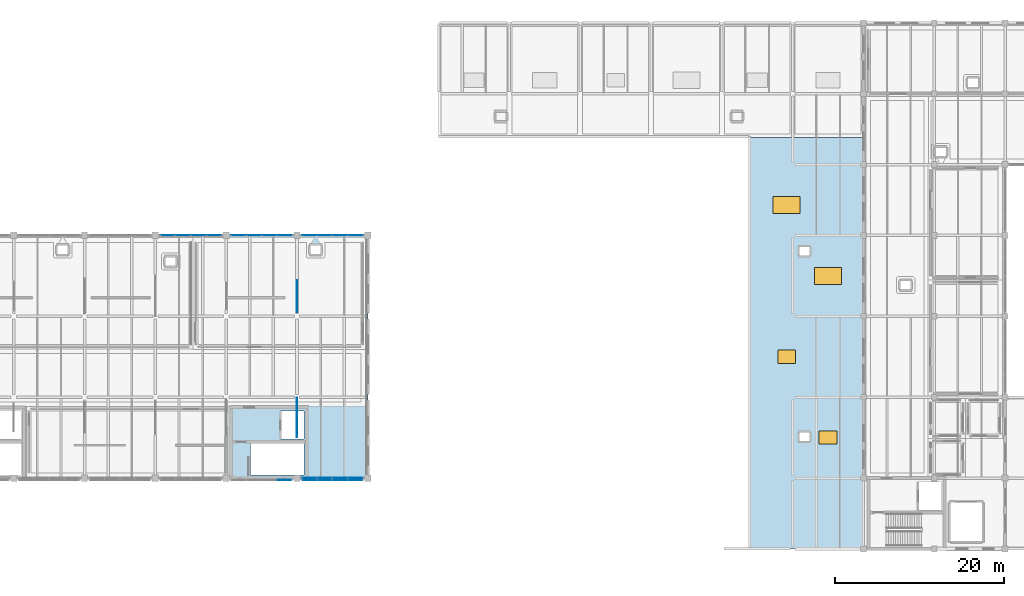
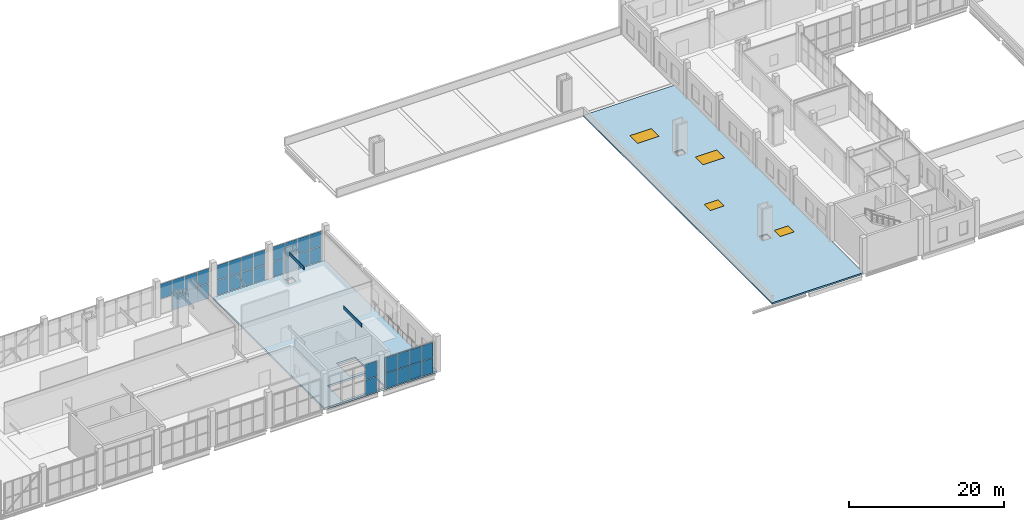
# One storey, part 31 of 49: 43 plates, 4 windows, 2 slabs, 4 openings, 6 elements without a shape of their own.
"""IFC4 building model written with IfcOpenShell, lengths in metres."""

from ifc_helpers import new_model, si_unit, direction, frame, origin, origin_2d, place, context, subcontext, project, spatial, polyline, rectangle, outline, extrude, material, layer, layer_set, type_object, element, fill, aggregate, save


model = new_model("IFC4")

# Units and contexts
model_context = context("Model", 3, precision=1e-05, world=origin(), true_north=direction((0.0, 1.0)))
body_context = subcontext(model_context, "Body", "Model", "MODEL_VIEW")
ifc_project = project(units=[si_unit("LENGTHUNIT", "METRE"), si_unit("AREAUNIT", "SQUARE_METRE"), si_unit("VOLUMEUNIT", "CUBIC_METRE"), si_unit("PLANEANGLEUNIT", "RADIAN"), si_unit("MASSUNIT", "GRAM", prefix="KILO")], contexts=[model_context])

# Site, building, storey
site_placement = place(None, origin())
site = spatial("IfcSite", under=ifc_project, at=site_placement, CompositionType="ELEMENT")
building_placement = place(site_placement, origin())
building = spatial("IfcBuilding", under=site, at=building_placement, Name="Zulmaris Art Gallery", CompositionType="ELEMENT")
storey_placement = place(building_placement, frame((0.0, 0.0, 20.699951171875)))
storey = spatial("IfcBuildingStorey", under=building, at=storey_placement, Name="L04", CompositionType="ELEMENT", Elevation=20.699951171875)

# Curtain wall, plates
ifc_material_1 = material(Name="Unitised Low-E Gallery Curtain Wall", Category="aluminium")
ifc_layer_1 = layer(ifc_material_1, 0.179931640625)
ifc_layer_set_1 = layer_set([ifc_layer_1], Name="Unitised Low-E Gallery Curtain Wall")
curtain_wall_type_1 = type_object("IfcCurtainWallType", Name="CW-CW01", PredefinedType="NOTDEFINED", material=ifc_layer_set_1)
curtain_wall_1_placement = place(storey_placement, origin())
curtain_wall_1 = element("IfcCurtainWall", 1, at=curtain_wall_1_placement, inside=storey, type_object=curtain_wall_type_1, Name="L04 curtain wall 31", PredefinedType="NOTDEFINED")
ifc_material_2 = material(Name="Triple Solar-Control Laminated Glass", Category="glass")
ifc_layer_2 = layer(ifc_material_2, 0.035888671875)
ifc_layer_set_2 = layer_set([ifc_layer_2], Name="Triple Solar-Control Laminated Glass")
plate_type_1 = type_object("IfcPlateType", Name="CWPAN-GLZ", PredefinedType="CURTAIN_PANEL", material=ifc_layer_set_2)
plate_1_placement = place(storey_placement, frame((64.5263671875, 50.39990234375, 0.0751953125), z_axis=(0.0, 0.0, 1.0), x_axis=(-1.0, 0.0, 0.0)))
plate_1 = element("IfcPlate", 2, at=plate_1_placement, type_object=plate_type_1, Name="CW01 panel 1.1", PredefinedType="CURTAIN_PANEL", context=body_context, shape_type="SweptSolid", body=[
    extrude(rectangle(XDim=1.717529296875, YDim=0.031982421875, at=origin_2d()), origin(), (0.0, 0.0, 1.0), 2.33740234375),
])
plate_2_placement = place(storey_placement, frame((64.5263671875, 50.39990234375, 2.487548828125), z_axis=(0.0, 0.0, 1.0), x_axis=(-1.0, 0.0, 0.0)))
plate_2 = element("IfcPlate", 3, at=plate_2_placement, type_object=plate_type_1, Name="CW01 panel 1.2", PredefinedType="CURTAIN_PANEL", context=body_context, shape_type="SweptSolid", body=[
    extrude(rectangle(XDim=1.717529296875, YDim=0.031982421875, at=origin_2d()), origin(), (0.0, 0.0, 1.0), 2.33740234375),
])
plate_3_placement = place(storey_placement, frame((62.715087890625, 50.39990234375, 0.0751953125), z_axis=(0.0, 0.0, 1.0), x_axis=(-1.0, 0.0, 0.0)))
plate_3 = element("IfcPlate", 4, at=plate_3_placement, type_object=plate_type_1, Name="CW01 panel 2.1", PredefinedType="CURTAIN_PANEL", context=body_context, shape_type="SweptSolid", body=[
    extrude(rectangle(XDim=1.7548828125, YDim=0.031982421875, at=origin_2d()), origin(), (0.0, 0.0, 1.0), 2.33740234375),
])
plate_4_placement = place(storey_placement, frame((62.715087890625, 50.39990234375, 2.487548828125), z_axis=(0.0, 0.0, 1.0), x_axis=(-1.0, 0.0, 0.0)))
plate_4 = element("IfcPlate", 5, at=plate_4_placement, type_object=plate_type_1, Name="CW01 panel 2.2", PredefinedType="CURTAIN_PANEL", context=body_context, shape_type="SweptSolid", body=[
    extrude(rectangle(XDim=1.7548828125, YDim=0.031982421875, at=origin_2d()), origin(), (0.0, 0.0, 1.0), 2.33740234375),
])
plate_5_placement = place(storey_placement, frame((60.885009765625, 50.39990234375, 0.0751953125), z_axis=(0.0, 0.0, 1.0), x_axis=(-1.0, 0.0, 0.0)))
plate_5 = element("IfcPlate", 6, at=plate_5_placement, type_object=plate_type_1, Name="CW01 panel 3.1", PredefinedType="CURTAIN_PANEL", context=body_context, shape_type="SweptSolid", body=[
    extrude(rectangle(XDim=1.7548828125, YDim=0.031982421875, at=origin_2d()), origin(), (0.0, 0.0, 1.0), 2.33740234375),
])
plate_6_placement = place(storey_placement, frame((60.885009765625, 50.39990234375, 2.487548828125), z_axis=(0.0, 0.0, 1.0), x_axis=(-1.0, 0.0, 0.0)))
plate_6 = element("IfcPlate", 7, at=plate_6_placement, type_object=plate_type_1, Name="CW01 panel 3.2", PredefinedType="CURTAIN_PANEL", context=body_context, shape_type="SweptSolid", body=[
    extrude(rectangle(XDim=1.7548828125, YDim=0.031982421875, at=origin_2d()), origin(), (0.0, 0.0, 1.0), 2.33740234375),
])
plate_7_placement = place(storey_placement, frame((59.07373046875, 50.39990234375, 2.487548828125), z_axis=(0.0, 0.0, 1.0), x_axis=(-1.0, 0.0, 0.0)))
plate_7 = element("IfcPlate", 8, at=plate_7_placement, type_object=plate_type_1, Name="CW01 panel 4.2", PredefinedType="CURTAIN_PANEL", context=body_context, shape_type="SweptSolid", body=[
    extrude(rectangle(XDim=1.717529296875, YDim=0.031982421875, at=origin_2d()), origin(), (0.0, 0.0, 1.0), 2.33740234375),
])
aggregate(curtain_wall_1, [plate_1, plate_2, plate_3, plate_4, plate_5, plate_6, plate_7])

curtain_wall_2_placement = place(storey_placement, origin())
curtain_wall_2 = element("IfcCurtainWall", 9, at=curtain_wall_2_placement, inside=storey, type_object=curtain_wall_type_1, Name="L04 curtain wall 32", PredefinedType="NOTDEFINED")
plate_8_placement = place(storey_placement, frame((72.92626953125, 50.39990234375, 0.0751953125), z_axis=(0.0, 0.0, 1.0), x_axis=(-1.0, 0.0, 0.0)))
plate_8 = element("IfcPlate", 10, at=plate_8_placement, type_object=plate_type_1, Name="CW01 panel 1.1", PredefinedType="CURTAIN_PANEL", context=body_context, shape_type="SweptSolid", body=[
    extrude(rectangle(XDim=1.717529296875, YDim=0.031982421875, at=origin_2d()), origin(), (0.0, 0.0, 1.0), 2.33740234375),
])
plate_9_placement = place(storey_placement, frame((72.92626953125, 50.39990234375, 2.487548828125), z_axis=(0.0, 0.0, 1.0), x_axis=(-1.0, 0.0, 0.0)))
plate_9 = element("IfcPlate", 11, at=plate_9_placement, type_object=plate_type_1, Name="CW01 panel 1.2", PredefinedType="CURTAIN_PANEL", context=body_context, shape_type="SweptSolid", body=[
    extrude(rectangle(XDim=1.717529296875, YDim=0.031982421875, at=origin_2d()), origin(), (0.0, 0.0, 1.0), 2.33740234375),
])
plate_10_placement = place(storey_placement, frame((71.114990234375, 50.39990234375, 0.0751953125), z_axis=(0.0, 0.0, 1.0), x_axis=(-1.0, 0.0, 0.0)))
plate_10 = element("IfcPlate", 12, at=plate_10_placement, type_object=plate_type_1, Name="CW01 panel 2.1", PredefinedType="CURTAIN_PANEL", context=body_context, shape_type="SweptSolid", body=[
    extrude(rectangle(XDim=1.7548828125, YDim=0.031982421875, at=origin_2d()), origin(), (0.0, 0.0, 1.0), 2.33740234375),
])
plate_11_placement = place(storey_placement, frame((71.114990234375, 50.39990234375, 2.487548828125), z_axis=(0.0, 0.0, 1.0), x_axis=(-1.0, 0.0, 0.0)))
plate_11 = element("IfcPlate", 13, at=plate_11_placement, type_object=plate_type_1, Name="CW01 panel 2.2", PredefinedType="CURTAIN_PANEL", context=body_context, shape_type="SweptSolid", body=[
    extrude(rectangle(XDim=1.7548828125, YDim=0.031982421875, at=origin_2d()), origin(), (0.0, 0.0, 1.0), 2.33740234375),
])
plate_12_placement = place(storey_placement, frame((69.284912109375, 50.39990234375, 0.0751953125), z_axis=(0.0, 0.0, 1.0), x_axis=(-1.0, 0.0, 0.0)))
plate_12 = element("IfcPlate", 14, at=plate_12_placement, type_object=plate_type_1, Name="CW01 panel 3.1", PredefinedType="CURTAIN_PANEL", context=body_context, shape_type="SweptSolid", body=[
    extrude(rectangle(XDim=1.7548828125, YDim=0.031982421875, at=origin_2d()), origin(), (0.0, 0.0, 1.0), 2.33740234375),
])
plate_13_placement = place(storey_placement, frame((69.284912109375, 50.39990234375, 2.487548828125), z_axis=(0.0, 0.0, 1.0), x_axis=(-1.0, 0.0, 0.0)))
plate_13 = element("IfcPlate", 15, at=plate_13_placement, type_object=plate_type_1, Name="CW01 panel 3.2", PredefinedType="CURTAIN_PANEL", context=body_context, shape_type="SweptSolid", body=[
    extrude(rectangle(XDim=1.7548828125, YDim=0.031982421875, at=origin_2d()), origin(), (0.0, 0.0, 1.0), 2.33740234375),
])
plate_14_placement = place(storey_placement, frame((67.4736328125, 50.39990234375, 0.0751953125), z_axis=(0.0, 0.0, 1.0), x_axis=(-1.0, 0.0, 0.0)))
plate_14 = element("IfcPlate", 16, at=plate_14_placement, type_object=plate_type_1, Name="CW01 panel 4.1", PredefinedType="CURTAIN_PANEL", context=body_context, shape_type="SweptSolid", body=[
    extrude(rectangle(XDim=1.717529296875, YDim=0.031982421875, at=origin_2d()), origin(), (0.0, 0.0, 1.0), 2.33740234375),
])
plate_15_placement = place(storey_placement, frame((67.4736328125, 50.39990234375, 2.487548828125), z_axis=(0.0, 0.0, 1.0), x_axis=(-1.0, 0.0, 0.0)))
plate_15 = element("IfcPlate", 17, at=plate_15_placement, type_object=plate_type_1, Name="CW01 panel 4.2", PredefinedType="CURTAIN_PANEL", context=body_context, shape_type="SweptSolid", body=[
    extrude(rectangle(XDim=1.717529296875, YDim=0.031982421875, at=origin_2d()), origin(), (0.0, 0.0, 1.0), 2.33740234375),
])
aggregate(curtain_wall_2, [plate_8, plate_9, plate_10, plate_11, plate_12, plate_13, plate_14, plate_15])

curtain_wall_3_placement = place(storey_placement, origin())
curtain_wall_3 = element("IfcCurtainWall", 18, at=curtain_wall_3_placement, inside=storey, type_object=curtain_wall_type_1, Name="L04 curtain wall 33", PredefinedType="NOTDEFINED")
plate_16_placement = place(storey_placement, frame((75.873779296875, 21.60009765625, 0.0751953125), z_axis=(0.0, 0.0, 1.0), x_axis=(1.0, 0.0, 0.0)))
plate_16 = element("IfcPlate", 19, at=plate_16_placement, type_object=plate_type_1, Name="CW01 panel 1.1", PredefinedType="CURTAIN_PANEL", context=body_context, shape_type="SweptSolid", body=[
    extrude(rectangle(XDim=1.717529296875, YDim=0.031982421875, at=origin_2d()), origin(), (0.0, 0.0, 1.0), 2.33740234375),
])
plate_17_placement = place(storey_placement, frame((75.873779296875, 21.60009765625, 2.487548828125), z_axis=(0.0, 0.0, 1.0), x_axis=(1.0, 0.0, 0.0)))
plate_17 = element("IfcPlate", 20, at=plate_17_placement, type_object=plate_type_1, Name="CW01 panel 1.2", PredefinedType="CURTAIN_PANEL", context=body_context, shape_type="SweptSolid", body=[
    extrude(rectangle(XDim=1.717529296875, YDim=0.031982421875, at=origin_2d()), origin(), (0.0, 0.0, 1.0), 2.33740234375),
])
plate_18_placement = place(storey_placement, frame((77.68505859375, 21.60009765625, 0.0751953125), z_axis=(0.0, 0.0, 1.0), x_axis=(1.0, 0.0, 0.0)))
plate_18 = element("IfcPlate", 21, at=plate_18_placement, type_object=plate_type_1, Name="CW01 panel 2.1", PredefinedType="CURTAIN_PANEL", context=body_context, shape_type="SweptSolid", body=[
    extrude(rectangle(XDim=1.7548828125, YDim=0.031982421875, at=origin_2d()), origin(), (0.0, 0.0, 1.0), 2.33740234375),
])
plate_19_placement = place(storey_placement, frame((77.68505859375, 21.60009765625, 2.487548828125), z_axis=(0.0, 0.0, 1.0), x_axis=(1.0, 0.0, 0.0)))
plate_19 = element("IfcPlate", 22, at=plate_19_placement, type_object=plate_type_1, Name="CW01 panel 2.2", PredefinedType="CURTAIN_PANEL", context=body_context, shape_type="SweptSolid", body=[
    extrude(rectangle(XDim=1.7548828125, YDim=0.031982421875, at=origin_2d()), origin(), (0.0, 0.0, 1.0), 2.33740234375),
])
plate_20_placement = place(storey_placement, frame((79.514892578125, 21.60009765625, 0.0751953125), z_axis=(0.0, 0.0, 1.0), x_axis=(1.0, 0.0, 0.0)))
plate_20 = element("IfcPlate", 23, at=plate_20_placement, type_object=plate_type_1, Name="CW01 panel 3.1", PredefinedType="CURTAIN_PANEL", context=body_context, shape_type="SweptSolid", body=[
    extrude(rectangle(XDim=1.7548828125, YDim=0.031982421875, at=origin_2d()), origin(), (0.0, 0.0, 1.0), 2.33740234375),
])
plate_21_placement = place(storey_placement, frame((79.514892578125, 21.60009765625, 2.487548828125), z_axis=(0.0, 0.0, 1.0), x_axis=(1.0, 0.0, 0.0)))
plate_21 = element("IfcPlate", 24, at=plate_21_placement, type_object=plate_type_1, Name="CW01 panel 3.2", PredefinedType="CURTAIN_PANEL", context=body_context, shape_type="SweptSolid", body=[
    extrude(rectangle(XDim=1.7548828125, YDim=0.031982421875, at=origin_2d()), origin(), (0.0, 0.0, 1.0), 2.33740234375),
])
plate_22_placement = place(storey_placement, frame((81.326171875, 21.60009765625, 0.0751953125), z_axis=(0.0, 0.0, 1.0), x_axis=(1.0, 0.0, 0.0)))
plate_22 = element("IfcPlate", 25, at=plate_22_placement, type_object=plate_type_1, Name="CW01 panel 4.1", PredefinedType="CURTAIN_PANEL", context=body_context, shape_type="SweptSolid", body=[
    extrude(rectangle(XDim=1.717529296875, YDim=0.031982421875, at=origin_2d()), origin(), (0.0, 0.0, 1.0), 2.33740234375),
])
plate_23_placement = place(storey_placement, frame((81.326171875, 21.60009765625, 2.487548828125), z_axis=(0.0, 0.0, 1.0), x_axis=(1.0, 0.0, 0.0)))
plate_23 = element("IfcPlate", 26, at=plate_23_placement, type_object=plate_type_1, Name="CW01 panel 4.2", PredefinedType="CURTAIN_PANEL", context=body_context, shape_type="SweptSolid", body=[
    extrude(rectangle(XDim=1.717529296875, YDim=0.031982421875, at=origin_2d()), origin(), (0.0, 0.0, 1.0), 2.33740234375),
])
aggregate(curtain_wall_3, [plate_16, plate_17, plate_18, plate_19, plate_20, plate_21, plate_22, plate_23])

curtain_wall_4_placement = place(storey_placement, origin())
curtain_wall_4 = element("IfcCurtainWall", 27, at=curtain_wall_4_placement, inside=storey, type_object=curtain_wall_type_1, Name="L04 curtain wall 34", PredefinedType="NOTDEFINED")
plate_24_placement = place(storey_placement, frame((81.326171875, 50.39990234375, 0.0751953125), z_axis=(0.0, 0.0, 1.0), x_axis=(-1.0, 0.0, 0.0)))
plate_24 = element("IfcPlate", 28, at=plate_24_placement, type_object=plate_type_1, Name="CW01 panel 1.1", PredefinedType="CURTAIN_PANEL", context=body_context, shape_type="SweptSolid", body=[
    extrude(rectangle(XDim=1.717529296875, YDim=0.031982421875, at=origin_2d()), origin(), (0.0, 0.0, 1.0), 2.33740234375),
])
plate_25_placement = place(storey_placement, frame((81.326171875, 50.39990234375, 2.487548828125), z_axis=(0.0, 0.0, 1.0), x_axis=(-1.0, 0.0, 0.0)))
plate_25 = element("IfcPlate", 29, at=plate_25_placement, type_object=plate_type_1, Name="CW01 panel 1.2", PredefinedType="CURTAIN_PANEL", context=body_context, shape_type="SweptSolid", body=[
    extrude(rectangle(XDim=1.717529296875, YDim=0.031982421875, at=origin_2d()), origin(), (0.0, 0.0, 1.0), 2.33740234375),
])
plate_26_placement = place(storey_placement, frame((79.514892578125, 50.39990234375, 0.0751953125), z_axis=(0.0, 0.0, 1.0), x_axis=(-1.0, 0.0, 0.0)))
plate_26 = element("IfcPlate", 30, at=plate_26_placement, type_object=plate_type_1, Name="CW01 panel 2.1", PredefinedType="CURTAIN_PANEL", context=body_context, shape_type="SweptSolid", body=[
    extrude(rectangle(XDim=1.7548828125, YDim=0.031982421875, at=origin_2d()), origin(), (0.0, 0.0, 1.0), 2.33740234375),
])
plate_27_placement = place(storey_placement, frame((79.514892578125, 50.39990234375, 2.487548828125), z_axis=(0.0, 0.0, 1.0), x_axis=(-1.0, 0.0, 0.0)))
plate_27 = element("IfcPlate", 31, at=plate_27_placement, type_object=plate_type_1, Name="CW01 panel 2.2", PredefinedType="CURTAIN_PANEL", context=body_context, shape_type="SweptSolid", body=[
    extrude(rectangle(XDim=1.7548828125, YDim=0.031982421875, at=origin_2d()), origin(), (0.0, 0.0, 1.0), 2.33740234375),
])
plate_28_placement = place(storey_placement, frame((77.68505859375, 50.39990234375, 0.0751953125), z_axis=(0.0, 0.0, 1.0), x_axis=(-1.0, 0.0, 0.0)))
plate_28 = element("IfcPlate", 32, at=plate_28_placement, type_object=plate_type_1, Name="CW01 panel 3.1", PredefinedType="CURTAIN_PANEL", context=body_context, shape_type="SweptSolid", body=[
    extrude(rectangle(XDim=1.7548828125, YDim=0.031982421875, at=origin_2d()), origin(), (0.0, 0.0, 1.0), 2.33740234375),
])
plate_29_placement = place(storey_placement, frame((77.68505859375, 50.39990234375, 2.487548828125), z_axis=(0.0, 0.0, 1.0), x_axis=(-1.0, 0.0, 0.0)))
plate_29 = element("IfcPlate", 33, at=plate_29_placement, type_object=plate_type_1, Name="CW01 panel 3.2", PredefinedType="CURTAIN_PANEL", context=body_context, shape_type="SweptSolid", body=[
    extrude(rectangle(XDim=1.7548828125, YDim=0.031982421875, at=origin_2d()), origin(), (0.0, 0.0, 1.0), 2.33740234375),
])
plate_30_placement = place(storey_placement, frame((75.873779296875, 50.39990234375, 0.0751953125), z_axis=(0.0, 0.0, 1.0), x_axis=(-1.0, 0.0, 0.0)))
plate_30 = element("IfcPlate", 34, at=plate_30_placement, type_object=plate_type_1, Name="CW01 panel 4.1", PredefinedType="CURTAIN_PANEL", context=body_context, shape_type="SweptSolid", body=[
    extrude(rectangle(XDim=1.717529296875, YDim=0.031982421875, at=origin_2d()), origin(), (0.0, 0.0, 1.0), 2.33740234375),
])
plate_31_placement = place(storey_placement, frame((75.873779296875, 50.39990234375, 2.487548828125), z_axis=(0.0, 0.0, 1.0), x_axis=(-1.0, 0.0, 0.0)))
plate_31 = element("IfcPlate", 35, at=plate_31_placement, type_object=plate_type_1, Name="CW01 panel 4.2", PredefinedType="CURTAIN_PANEL", context=body_context, shape_type="SweptSolid", body=[
    extrude(rectangle(XDim=1.717529296875, YDim=0.031982421875, at=origin_2d()), origin(), (0.0, 0.0, 1.0), 2.33740234375),
])
aggregate(curtain_wall_4, [plate_24, plate_25, plate_26, plate_27, plate_28, plate_29, plate_30, plate_31])

ifc_material_3 = material(Name="Perforated Bronze Art Deco Mashrabiya Screen", Category="aluminium")
ifc_layer_3 = layer(ifc_material_3, 0.179931640625)
ifc_layer_set_3 = layer_set([ifc_layer_3], Name="Perforated Bronze Art Deco Mashrabiya Screen")
curtain_wall_type_2 = type_object("IfcCurtainWallType", Name="CW-CW06", PredefinedType="USERDEFINED", material=ifc_layer_set_3)
curtain_wall_5_placement = place(storey_placement, origin())
curtain_wall_5 = element("IfcCurtainWall", 36, at=curtain_wall_5_placement, inside=storey, type_object=curtain_wall_type_2, Name="L04 Mashrabiya screen 183", ObjectType="MASHRABIYA SCREEN", PredefinedType="USERDEFINED")
ifc_material_4 = material(Name="Perforated Cast Bronze Chevron Panel", Category="aluminium")
ifc_layer_4 = layer(ifc_material_4, 0.02392578125)
ifc_layer_set_4 = layer_set([ifc_layer_4], Name="Perforated Cast Bronze Chevron Panel")
plate_type_2 = type_object("IfcPlateType", Name="CWPAN-MSH", PredefinedType="CURTAIN_PANEL", material=ifc_layer_set_4)
plate_32_placement = place(storey_placement, frame((72.88134765625, 21.3798828125, 0.0751953125), z_axis=(0.0, 0.0, 1.0), x_axis=(1.0, 0.0, 0.0)))
plate_32 = element("IfcPlate", 37, at=plate_32_placement, type_object=plate_type_2, Name="CW06 panel 4.1", PredefinedType="CURTAIN_PANEL", context=body_context, shape_type="SweptSolid", body=[
    extrude(rectangle(XDim=1.6875, YDim=0.031982421875, at=origin_2d()), origin(), (0.0, 0.0, 1.0), 2.362548828125),
])
plate_33_placement = place(storey_placement, frame((72.88134765625, 21.3798828125, 2.5126953125), z_axis=(0.0, 0.0, 1.0), x_axis=(1.0, 0.0, 0.0)))
plate_33 = element("IfcPlate", 38, at=plate_33_placement, type_object=plate_type_2, Name="CW06 panel 4.2", PredefinedType="CURTAIN_PANEL", context=body_context, shape_type="SweptSolid", body=[
    extrude(rectangle(XDim=1.6875, YDim=0.031982421875, at=origin_2d()), origin(), (0.0, 0.0, 1.0), 2.362548828125),
])
aggregate(curtain_wall_5, [plate_32, plate_33])

curtain_wall_6_placement = place(storey_placement, origin())
curtain_wall_6 = element("IfcCurtainWall", 39, at=curtain_wall_6_placement, inside=storey, type_object=curtain_wall_type_2, Name="L04 Mashrabiya screen 184", ObjectType="MASHRABIYA SCREEN", PredefinedType="USERDEFINED")
plate_34_placement = place(storey_placement, frame((75.918701171875, 21.3798828125, 0.0751953125), z_axis=(0.0, 0.0, 1.0), x_axis=(1.0, 0.0, 0.0)))
plate_34 = element("IfcPlate", 40, at=plate_34_placement, type_object=plate_type_2, Name="CW06 panel 1.1", PredefinedType="CURTAIN_PANEL", context=body_context, shape_type="SweptSolid", body=[
    extrude(rectangle(XDim=1.6875, YDim=0.031982421875, at=origin_2d()), origin(), (0.0, 0.0, 1.0), 2.362548828125),
])
plate_35_placement = place(storey_placement, frame((75.918701171875, 21.3798828125, 2.5126953125), z_axis=(0.0, 0.0, 1.0), x_axis=(1.0, 0.0, 0.0)))
plate_35 = element("IfcPlate", 41, at=plate_35_placement, type_object=plate_type_2, Name="CW06 panel 1.2", PredefinedType="CURTAIN_PANEL", context=body_context, shape_type="SweptSolid", body=[
    extrude(rectangle(XDim=1.6875, YDim=0.031982421875, at=origin_2d()), origin(), (0.0, 0.0, 1.0), 2.362548828125),
])
plate_36_placement = place(storey_placement, frame((77.699951171875, 21.3798828125, 0.0751953125), z_axis=(0.0, 0.0, 1.0), x_axis=(1.0, 0.0, 0.0)))
plate_36 = element("IfcPlate", 42, at=plate_36_placement, type_object=plate_type_2, Name="CW06 panel 2.1", PredefinedType="CURTAIN_PANEL", context=body_context, shape_type="SweptSolid", body=[
    extrude(rectangle(XDim=1.72509765625, YDim=0.031982421875, at=origin_2d()), origin(), (0.0, 0.0, 1.0), 2.362548828125),
])
plate_37_placement = place(storey_placement, frame((77.699951171875, 21.3798828125, 2.5126953125), z_axis=(0.0, 0.0, 1.0), x_axis=(1.0, 0.0, 0.0)))
plate_37 = element("IfcPlate", 43, at=plate_37_placement, type_object=plate_type_2, Name="CW06 panel 2.2", PredefinedType="CURTAIN_PANEL", context=body_context, shape_type="SweptSolid", body=[
    extrude(rectangle(XDim=1.72509765625, YDim=0.031982421875, at=origin_2d()), origin(), (0.0, 0.0, 1.0), 2.362548828125),
])
plate_38_placement = place(storey_placement, frame((79.5, 21.3798828125, 0.0751953125), z_axis=(0.0, 0.0, 1.0), x_axis=(1.0, 0.0, 0.0)))
plate_38 = element("IfcPlate", 44, at=plate_38_placement, type_object=plate_type_2, Name="CW06 panel 3.1", PredefinedType="CURTAIN_PANEL", context=body_context, shape_type="SweptSolid", body=[
    extrude(rectangle(XDim=1.72509765625, YDim=0.031982421875, at=origin_2d()), origin(), (0.0, 0.0, 1.0), 2.362548828125),
])
plate_39_placement = place(storey_placement, frame((79.5, 21.3798828125, 2.5126953125), z_axis=(0.0, 0.0, 1.0), x_axis=(1.0, 0.0, 0.0)))
plate_39 = element("IfcPlate", 45, at=plate_39_placement, type_object=plate_type_2, Name="CW06 panel 3.2", PredefinedType="CURTAIN_PANEL", context=body_context, shape_type="SweptSolid", body=[
    extrude(rectangle(XDim=1.72509765625, YDim=0.031982421875, at=origin_2d()), origin(), (0.0, 0.0, 1.0), 2.362548828125),
])
plate_40_placement = place(storey_placement, frame((81.28125, 21.3798828125, 0.0751953125), z_axis=(0.0, 0.0, 1.0), x_axis=(1.0, 0.0, 0.0)))
plate_40 = element("IfcPlate", 46, at=plate_40_placement, type_object=plate_type_2, Name="CW06 panel 4.1", PredefinedType="CURTAIN_PANEL", context=body_context, shape_type="SweptSolid", body=[
    extrude(rectangle(XDim=1.6875, YDim=0.031982421875, at=origin_2d()), origin(), (0.0, 0.0, 1.0), 2.362548828125),
])
plate_41_placement = place(storey_placement, frame((81.28125, 21.3798828125, 2.5126953125), z_axis=(0.0, 0.0, 1.0), x_axis=(1.0, 0.0, 0.0)))
plate_41 = element("IfcPlate", 47, at=plate_41_placement, type_object=plate_type_2, Name="CW06 panel 4.2", PredefinedType="CURTAIN_PANEL", context=body_context, shape_type="SweptSolid", body=[
    extrude(rectangle(XDim=1.6875, YDim=0.031982421875, at=origin_2d()), origin(), (0.0, 0.0, 1.0), 2.362548828125),
])
aggregate(curtain_wall_6, [plate_34, plate_35, plate_36, plate_37, plate_38, plate_39, plate_40, plate_41])

# Plates
ifc_material_5 = material(Name="Perforated Bronze Acoustic Gallery Baffle", Category="aluminium")
ifc_layer_5 = layer(ifc_material_5, 0.052001953125)
ifc_layer_set_5 = layer_set([ifc_layer_5], Name="Perforated Bronze Acoustic Gallery Baffle")
plate_type_3 = type_object("IfcPlateType", Name="PLT-BF08", PredefinedType="SHEET", material=ifc_layer_set_5)
plate_42_placement = place(storey_placement, frame((74.39990234375, 28.800048828125, 6.85009765625), z_axis=(0.0, 0.0, 1.0), x_axis=(1.0, 0.0, 0.0)))
element("IfcPlate", 48, at=plate_42_placement, inside=storey, type_object=plate_type_3, Name="L04 Top-Lit Gallery Acoustic Ceiling Baffle 8", PredefinedType="SHEET", context=body_context, shape_type="SweptSolid", body=[
    extrude(rectangle(XDim=0.052001953125, YDim=4.64990234375, at=origin_2d()), origin(), (0.0, 0.0, 1.0), 0.60009765625),
])
ifc_layer_6 = layer(ifc_material_5, 0.051025390625)
ifc_layer_set_6 = layer_set([ifc_layer_6], Name="Perforated Bronze Acoustic Gallery Baffle")
plate_type_4 = type_object("IfcPlateType", Name="PLT-BF16", PredefinedType="SHEET", material=ifc_layer_set_6)
plate_43_placement = place(storey_placement, frame((74.39990234375, 43.199951171875, 6.880126953125), z_axis=(0.0, 0.0, 1.0), x_axis=(1.0, 0.0, 0.0)))
element("IfcPlate", 49, at=plate_43_placement, inside=storey, type_object=plate_type_4, Name="L04 Top-Lit Gallery Acoustic Ceiling Baffle 16", PredefinedType="SHEET", context=body_context, shape_type="SweptSolid", body=[
    extrude(rectangle(XDim=0.051025390625, YDim=3.800048828125, at=origin_2d()), origin(), (0.0, 0.0, 1.0), 0.5400390625),
])

# Slab
ifc_material_6 = material(Name="Concrete C40/50", Category="concrete")
ifc_layer_7 = layer(ifc_material_6, 0.31005859375)
ifc_layer_set_7 = layer_set([ifc_layer_7], Name="Concrete C40/50")
slab_type_1 = type_object("IfcSlabType", Name="SLAB-SL-FL03", PredefinedType="FLOOR", material=ifc_layer_set_7)
slab_1_placement = place(storey_placement, frame((0.0, 0.0, -0.31005859375)))
element("IfcSlab", 50, at=slab_1_placement, inside=storey, type_object=slab_type_1, Name="L04 V1-HALL-E slab", PredefinedType="FLOOR", context=body_context, shape_type="SweptSolid", body=[
    extrude(outline(polyline([(66.0, 21.60009765625), (66.0, 50.39990234375), (82.800048828125, 50.39990234375), (82.800048828125, 21.60009765625), (66.0, 21.60009765625)]), holes=[polyline([(68.860107421875, 25.7900390625), (68.860107421875, 21.949951171875), (75.25, 21.949951171875), (75.25, 25.7900390625), (68.860107421875, 25.7900390625)]), polyline([(75.25, 26.219970703125), (75.25, 29.550048828125), (72.449951171875, 29.550048828125), (72.449951171875, 26.219970703125), (75.25, 26.219970703125)]), polyline([(76.0, 48.199951171875), (77.199951171875, 48.199951171875), (77.199951171875, 49.199951171875), (76.0, 49.199951171875), (76.0, 48.199951171875)])]), origin(), (0.0, 0.0, 1.0), 0.31005859375),
])

# Slab, openings, windows
ifc_layer_8 = layer(ifc_material_6, 0.239990234375)
ifc_layer_set_8 = layer_set([ifc_layer_8], Name="Concrete C40/50")
slab_type_2 = type_object("IfcSlabType", Name="SLAB-SL-RF01", PredefinedType="ROOF", material=ifc_layer_set_8)
slab_2_placement = place(storey_placement, frame((0.0, 0.0, -0.239990234375)))
slab_2 = element("IfcSlab", 51, at=slab_2_placement, inside=storey, type_object=slab_type_2, Name="L04 V4-ROOF-E slab", PredefinedType="ROOF", context=body_context, shape_type="SweptSolid", body=[
    extrude(outline(polyline([(128.0, 13.199951171875), (128.0, 62.0), (141.60009765625, 62.0), (141.60009765625, 13.199951171875), (128.0, 13.199951171875)]), holes=[polyline([(136.3701171875, 25.64501953125), (138.429931640625, 25.64501953125), (138.429931640625, 27.155029296875), (136.3701171875, 27.155029296875), (136.3701171875, 25.64501953125)]), polyline([(135.199951171875, 26.0), (135.199951171875, 27.0), (134.0, 27.0), (134.0, 26.0), (135.199951171875, 26.0)]), polyline([(131.469970703125, 35.2451171875), (133.530029296875, 35.2451171875), (133.530029296875, 36.7548828125), (131.469970703125, 36.7548828125), (131.469970703125, 35.2451171875)]), polyline([(138.97998046875, 44.6201171875), (138.97998046875, 46.580078125), (135.820068359375, 46.580078125), (135.820068359375, 44.6201171875), (138.97998046875, 44.6201171875)]), polyline([(135.199951171875, 48.0), (135.199951171875, 49.0), (134.0, 49.0), (134.0, 48.0), (135.199951171875, 48.0)]), polyline([(134.080078125, 53.02001953125), (134.080078125, 54.97998046875), (130.919921875, 54.97998046875), (130.919921875, 53.02001953125), (134.080078125, 53.02001953125)])]), origin(), (0.0, 0.0, 1.0), 0.239990234375),
])
opening_1_placement = place(slab_2_placement, frame((137.39990234375, 26.39990234375, 0.0)))
opening_1 = element("IfcOpeningElement", 52, at=opening_1_placement, cuts=slab_2, Name="Opening SK03", PredefinedType="OPENING", context=body_context, shape_type="SweptSolid", body=[
    extrude(rectangle(XDim=2.10009765625, YDim=1.550048828125, at=origin_2d()), origin(), (0.0, 0.0, 1.0), 0.239990234375),
])
opening_2_placement = place(slab_2_placement, frame((137.39990234375, 45.60009765625, 0.0)))
opening_2 = element("IfcOpeningElement", 53, at=opening_2_placement, cuts=slab_2, Name="Opening SK04", PredefinedType="OPENING", context=body_context, shape_type="SweptSolid", body=[
    extrude(rectangle(XDim=3.199951171875, YDim=2.0, at=origin_2d()), origin(), (0.0, 0.0, 1.0), 0.239990234375),
])
opening_3_placement = place(slab_2_placement, frame((132.5, 36.0, 0.0)))
opening_3 = element("IfcOpeningElement", 54, at=opening_3_placement, cuts=slab_2, Name="Opening SK03", PredefinedType="OPENING", context=body_context, shape_type="SweptSolid", body=[
    extrude(rectangle(XDim=2.10009765625, YDim=1.550048828125, at=origin_2d()), origin(), (0.0, 0.0, 1.0), 0.239990234375),
])
opening_4_placement = place(slab_2_placement, frame((132.5, 54.0, 0.0)))
opening_4 = element("IfcOpeningElement", 55, at=opening_4_placement, cuts=slab_2, Name="Opening SK04", PredefinedType="OPENING", context=body_context, shape_type="SweptSolid", body=[
    extrude(rectangle(XDim=3.199951171875, YDim=2.0, at=origin_2d()), origin(), (0.0, 0.0, 1.0), 0.239990234375),
])
ifc_material_7 = material(Name="UV-Filtered Conservation Roof Skylight C", Category="glass")
window_type_1 = type_object("IfcWindowType", Name="WIN-SK03", PartitioningType="SINGLE_PANEL", PredefinedType="SKYLIGHT", material=ifc_material_7)
window_1_placement = place(opening_1_placement, frame((0.0, 0.0, 0.18994140625)))
window_1 = element("IfcWindow", 56, at=window_1_placement, inside=storey, type_object=window_type_1, Name="L04 UV-Filtered Gallery Skylight 7", OverallHeight=1.550048828125, OverallWidth=2.10009765625, PartitioningType="SINGLE_PANEL", PredefinedType="SKYLIGHT", context=body_context, shape_type="SweptSolid", body=[
    extrude(rectangle(XDim=2.10009765625, YDim=1.550048828125, at=origin_2d()), origin(), (0.0, 0.0, 1.0), 0.050048828125),
])
fill(opening_1, window_1)
window_2_placement = place(opening_3_placement, frame((0.0, 0.0, 0.18994140625)))
window_2 = element("IfcWindow", 57, at=window_2_placement, inside=storey, type_object=window_type_1, Name="L04 UV-Filtered Gallery Skylight 15", OverallHeight=1.550048828125, OverallWidth=2.10009765625, PartitioningType="SINGLE_PANEL", PredefinedType="SKYLIGHT", context=body_context, shape_type="SweptSolid", body=[
    extrude(rectangle(XDim=2.10009765625, YDim=1.550048828125, at=origin_2d()), origin(), (0.0, 0.0, 1.0), 0.050048828125),
])
fill(opening_3, window_2)
ifc_material_8 = material(Name="UV-Filtered Studio Roof Skylight D", Category="glass")
window_type_2 = type_object("IfcWindowType", Name="WIN-SK04", PartitioningType="SINGLE_PANEL", PredefinedType="SKYLIGHT", material=ifc_material_8)
window_3_placement = place(opening_2_placement, frame((0.0, 0.0, 0.18994140625)))
window_3 = element("IfcWindow", 58, at=window_3_placement, inside=storey, type_object=window_type_2, Name="L04 UV-Filtered Gallery Skylight 8", OverallHeight=2.0, OverallWidth=3.199951171875, PartitioningType="SINGLE_PANEL", PredefinedType="SKYLIGHT", context=body_context, shape_type="SweptSolid", body=[
    extrude(rectangle(XDim=3.199951171875, YDim=2.0, at=origin_2d()), origin(), (0.0, 0.0, 1.0), 0.050048828125),
])
fill(opening_2, window_3)
window_4_placement = place(opening_4_placement, frame((0.0, 0.0, 0.18994140625)))
window_4 = element("IfcWindow", 59, at=window_4_placement, inside=storey, type_object=window_type_2, Name="L04 UV-Filtered Gallery Skylight 16", OverallHeight=2.0, OverallWidth=3.199951171875, PartitioningType="SINGLE_PANEL", PredefinedType="SKYLIGHT", context=body_context, shape_type="SweptSolid", body=[
    extrude(rectangle(XDim=3.199951171875, YDim=2.0, at=origin_2d()), origin(), (0.0, 0.0, 1.0), 0.050048828125),
])
fill(opening_4, window_4)

save(model, "model.ifc")
